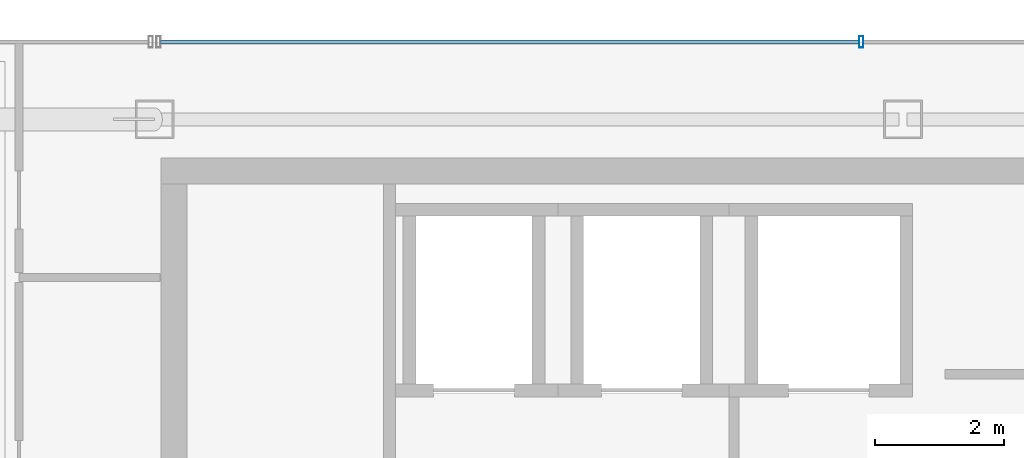
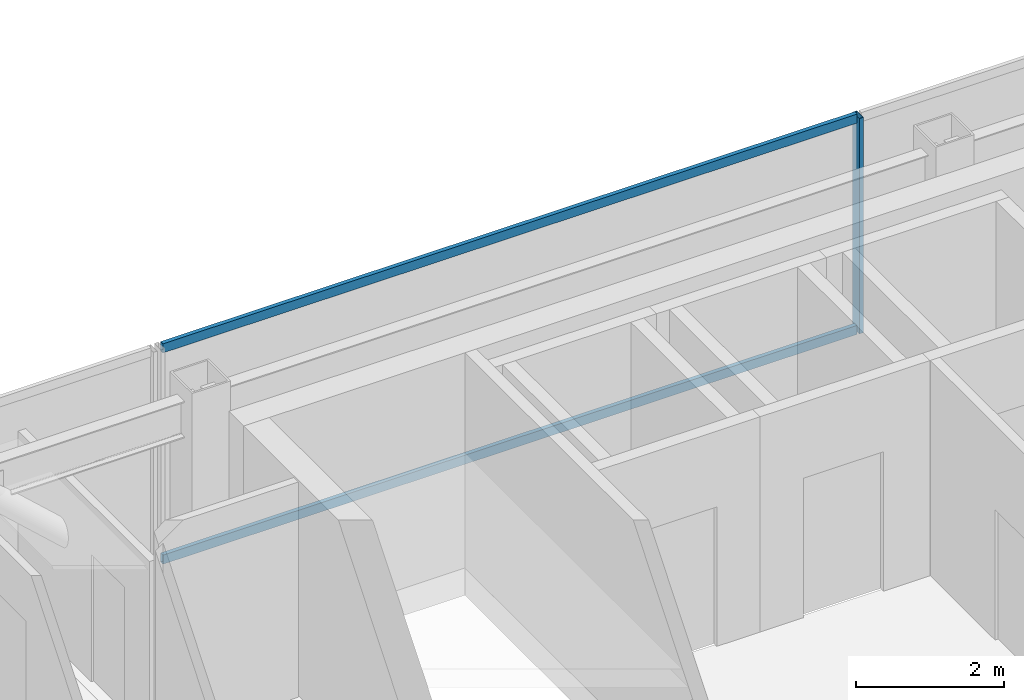
# One storey, part 13 of 25: 3 members, 1 element without a shape of its own.
"""IFC4 building model written with IfcOpenShell, lengths in metres."""

from ifc_helpers import new_model, si_unit, direction, frame, origin, origin_2d, place, context, subcontext, project, spatial, hollow_rectangle, extrude, material, material_profile, profile_set, type_object, element, aggregate, save


model = new_model("IFC4")

# Units and contexts
model_context = context("Model", 3, precision=1e-05, world=origin(), true_north=direction((0.0, 1.0)))
body_context = subcontext(model_context, "Body", "Model", "MODEL_VIEW")
ifc_project = project(units=[si_unit("LENGTHUNIT", "METRE"), si_unit("AREAUNIT", "SQUARE_METRE"), si_unit("VOLUMEUNIT", "CUBIC_METRE"), si_unit("PLANEANGLEUNIT", "RADIAN"), si_unit("MASSUNIT", "GRAM", prefix="KILO")], contexts=[model_context])

# Site, building, storey
site_placement = place(None, origin())
site = spatial("IfcSite", under=ifc_project, at=site_placement, CompositionType="ELEMENT")
building_placement = place(site_placement, origin())
building = spatial("IfcBuilding", under=site, at=building_placement, Name="Saevonmaru Cultural Tower", CompositionType="ELEMENT")
storey_placement = place(building_placement, frame((0.0, 0.0, 276.199951171875)))
storey = spatial("IfcBuildingStorey", under=building, at=storey_placement, Name="L65", CompositionType="ELEMENT", Elevation=276.199951171875)

# Curtain wall, members
ifc_material = material(Name="Satin Bronze Anodised Aluminium", Category="aluminium")
curtain_wall_type = type_object("IfcCurtainWallType", Name="CW-TYP-B", PredefinedType="NOTDEFINED", material=ifc_material)
curtain_wall_placement = place(storey_placement, origin())
curtain_wall = element("IfcCurtainWall", 1, at=curtain_wall_placement, inside=storey, type_object=curtain_wall_type, Name="L65 North Spine Unitised Curtain Wall E10B", PredefinedType="NOTDEFINED")
ifc_material_profile_1 = material_profile(ifc_material, hollow_rectangle(XDim=0.06494140625, YDim=0.179931640625, WallThickness=0.00390625, at=origin_2d()), Name="ALU-MULL-180x65x4")
ifc_profile_set_1 = profile_set([ifc_material_profile_1], Name="Satin Bronze Anodised Aluminium")
member_type_1 = type_object("IfcMemberType", Name="ML-CW-180x65", PredefinedType="MULLION", material=ifc_profile_set_1)
member_1_placement = place(storey_placement, frame((24.55322265625, 56.0, 0.0), z_axis=(0.0, 0.0, 1.0), x_axis=(-1.0, 0.0, 0.0)))
member_1 = element("IfcMember", 2, at=member_1_placement, type_object=member_type_1, Name="CW-TW-L65-E10B mullion 3", PredefinedType="MULLION", context=body_context, shape_type="SweptSolid", body=[
    extrude(hollow_rectangle(XDim=0.06494140625, YDim=0.179931640625, WallThickness=0.00390625, at=origin_2d()), origin(), (0.0, 0.0, 1.0), 3.550048828125),
])
ifc_material_profile_2 = material_profile(ifc_material, hollow_rectangle(XDim=0.06494140625, YDim=0.14990234375, WallThickness=0.00390625, at=origin_2d()), Name="ALU-TRAN-150x65x4")
ifc_profile_set_2 = profile_set([ifc_material_profile_2], Name="Satin Bronze Anodised Aluminium")
member_type_2 = type_object("IfcMemberType", Name="TR-CW-150x65", PredefinedType="USERDEFINED", material=ifc_profile_set_2)
member_2_placement = place(storey_placement, frame((24.520751953125, 56.0, 0.032470703125), z_axis=(-1.0, 0.0, 0.0), x_axis=(0.0, -1.0, 0.0)))
member_2 = element("IfcMember", 3, at=member_2_placement, type_object=member_type_2, Name="CW-TW-L65-E10B transom 3.1", ObjectType="TRANSOM", PredefinedType="USERDEFINED", context=body_context, shape_type="SweptSolid", body=[
    extrude(hollow_rectangle(XDim=0.06494140625, YDim=0.14990234375, WallThickness=0.00390625, at=origin_2d()), origin(), (0.0, 0.0, 1.0), 10.828369140625),
])
member_3_placement = place(storey_placement, frame((24.520751953125, 56.0, 3.517578125), z_axis=(-1.0, 0.0, 0.0), x_axis=(0.0, -1.0, 0.0)))
member_3 = element("IfcMember", 4, at=member_3_placement, type_object=member_type_2, Name="CW-TW-L65-E10B transom 3.2", ObjectType="TRANSOM", PredefinedType="USERDEFINED", context=body_context, shape_type="SweptSolid", body=[
    extrude(hollow_rectangle(XDim=0.06494140625, YDim=0.14990234375, WallThickness=0.00390625, at=origin_2d()), origin(), (0.0, 0.0, 1.0), 10.828369140625),
])
aggregate(curtain_wall, [member_1, member_2, member_3])

save(model, "model.ifc")
